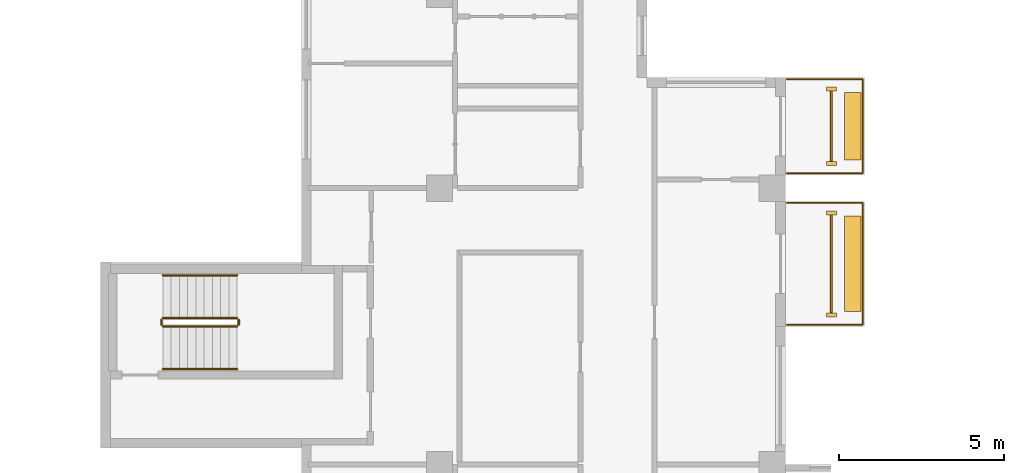
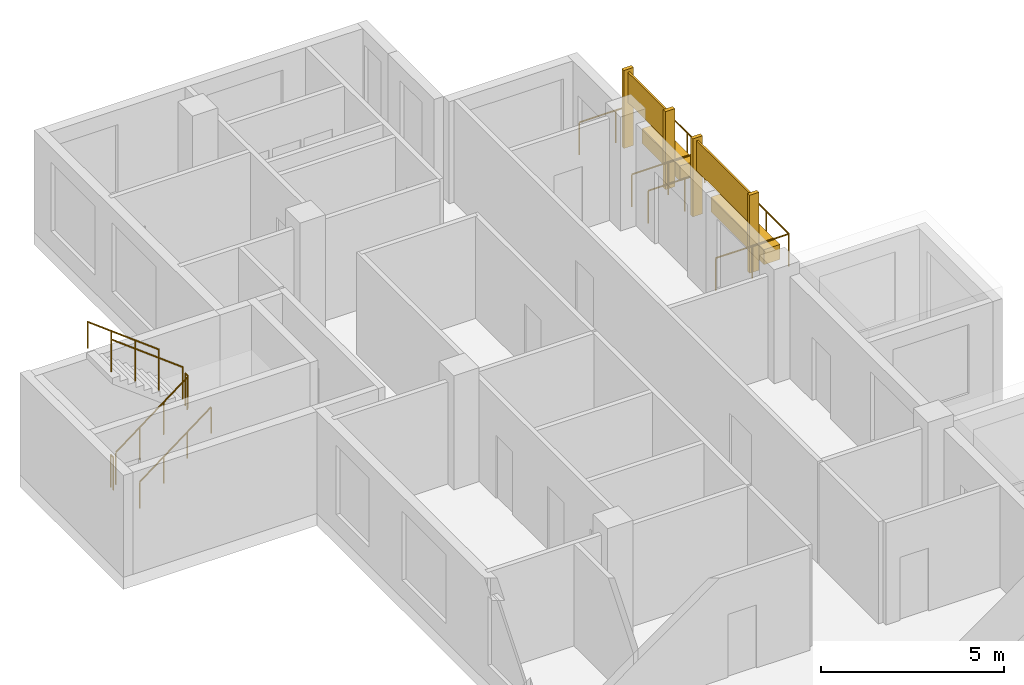
# One storey, part 11 of 11: 8 coverings, 8 railings.
"""IFC4 building model written with IfcOpenShell, lengths in metres."""

from ifc_helpers import new_model, si_unit, direction, frame, origin, origin_2d, place, context, subcontext, project, spatial, rectangle, circle, extrude, source, transform, mapped, material, type_object, element, save


model = new_model("IFC4")

# Units and contexts
model_context = context("Model", 3, precision=1e-05, world=origin(), true_north=direction((0.0, 1.0)))
body_context = subcontext(model_context, "Body", "Model", "MODEL_VIEW")
ifc_project = project(units=[si_unit("LENGTHUNIT", "METRE"), si_unit("AREAUNIT", "SQUARE_METRE"), si_unit("VOLUMEUNIT", "CUBIC_METRE"), si_unit("PLANEANGLEUNIT", "RADIAN"), si_unit("MASSUNIT", "GRAM", prefix="KILO")], contexts=[model_context])

# Site, building, storey
site_placement = place(None, origin())
site = spatial("IfcSite", under=ifc_project, at=site_placement, CompositionType="ELEMENT")
building_placement = place(site_placement, origin())
building = spatial("IfcBuilding", under=site, at=building_placement, Name="Aurelian Terraces", CompositionType="ELEMENT")
storey_placement = place(building_placement, frame((0.0, 0.0, 261.4)))
storey = spatial("IfcBuildingStorey", under=building, at=storey_placement, Name="L60", CompositionType="ELEMENT", Elevation=261.4)

# Coverings
ifc_material_1 = material(Name="Terracotta rainscreen cladding relief", Category="masonry")
covering_type_1 = type_object("IfcCoveringType", Name="FIN-TC", PredefinedType="CLADDING", material=ifc_material_1)
shared_shape_1 = source(origin(), body_context, "Body", "SweptSolid", [
    extrude(rectangle(XDim=0.3, YDim=0.12, at=origin_2d()), origin(), (0.0, 0.0, 1.0), 2.6),
])
for number, where, z_axis, x_axis, name in (
    (1, (22.4, 42.35, 0.0), (0.0, 0.0, 1.0), (1.0, 0.0, 0.0), "FIN L60 L60-F12-23.1"),
    (2, (22.4, 45.45, 0.0), (0.0, 0.0, 1.0), (1.0, 0.0, 0.0), "FIN L60 L60-F12-23.2"),
    (3, (22.4, 46.95, 0.0), (0.0, 0.0, 1.0), (1.0, 0.0, 0.0), "FIN L60 L60-F12-24.1"),
    (4, (22.4, 49.21, 0.0), (0.0, 0.0, 1.0), (1.0, 0.0, 0.0), "FIN L60 L60-F12-24.2"),
):
    element("IfcCovering", number, at=place(storey_placement, frame(where, z_axis=z_axis, x_axis=x_axis)), inside=storey, type_object=covering_type_1, Name=name, PredefinedType="CLADDING", context=body_context, shape_type="MappedRepresentation", body=[
        mapped(shared_shape_1, transform((0.0, 0.0, 0.0), scale=1.0)),
    ])

# Railing
ifc_material_2 = material(Name="Anodised aluminium", Category="aluminium")
railing_type_1 = type_object("IfcRailingType", Name="GUARD-1100", PredefinedType="GUARDRAIL", material=ifc_material_2)
shared_shape_2 = source(origin(), body_context, "Body", "SweptSolid", [
    extrude(circle(Radius=0.024, at=origin_2d()), frame((0.0, 0.0, 1.076), z_axis=(1.0, 0.0, 0.0), x_axis=(0.0, 1.0, 0.0)), (0.0, 0.0, 1.0), 2.3),
    extrude(circle(Radius=0.024, at=origin_2d()), frame((2.3, 0.0, 1.076), z_axis=(0.0, 1.0, 0.0), x_axis=(-1.0, 0.0, 0.0)), (0.0, 0.0, 1.0), 2.86),
    extrude(circle(Radius=0.024, at=origin_2d()), frame((2.3, 2.86, 1.076), z_axis=(-1.0, 0.0, 0.0), x_axis=(0.0, -1.0, 0.0)), (0.0, 0.0, 1.0), 2.3),
    extrude(circle(Radius=0.021, at=origin_2d()), origin(), (0.0, 0.0, 1.0), 1.052),
    extrude(circle(Radius=0.021, at=origin_2d()), frame((1.15, 0.0, 0.0)), (0.0, 0.0, 1.0), 1.052),
    extrude(circle(Radius=0.021, at=origin_2d()), frame((2.3, 0.0, 0.0)), (0.0, 0.0, 1.0), 1.052),
    extrude(circle(Radius=0.021, at=origin_2d()), frame((2.3, 0.9533, 0.0)), (0.0, 0.0, 1.0), 1.052),
    extrude(circle(Radius=0.021, at=origin_2d()), frame((2.3, 1.9067, 0.0)), (0.0, 0.0, 1.0), 1.052),
    extrude(circle(Radius=0.021, at=origin_2d()), frame((2.3, 2.86, 0.0)), (0.0, 0.0, 1.0), 1.052),
    extrude(circle(Radius=0.021, at=origin_2d()), frame((1.15, 2.86, 0.0)), (0.0, 0.0, 1.0), 1.052),
    extrude(circle(Radius=0.021, at=origin_2d()), frame((0.0, 2.86, 0.0)), (0.0, 0.0, 1.0), 1.052),
])
railing_1_placement = place(storey_placement, frame((21.05, 46.65, 0.0)))
element("IfcRailing", 5, at=railing_1_placement, inside=storey, type_object=railing_type_1, Name="Balcony guard L60 F12.24", PredefinedType="GUARDRAIL", context=body_context, shape_type="MappedRepresentation", body=[
    mapped(shared_shape_2, transform((0.0, 0.0, 0.0), scale=1.0)),
])

# Coverings
ifc_material_3 = material(Name="Terracotta planter with planting soil", Category="masonry")
covering_type_2 = type_object("IfcCoveringType", Name="PLANTER-TROUGH", PredefinedType="USERDEFINED", material=ifc_material_3)
shared_shape_3 = source(origin(), body_context, "Body", "SweptSolid", [
    extrude(rectangle(XDim=0.5, YDim=2.06, at=origin_2d()), origin(), (0.0, 0.0, 1.0), 0.5),
])
covering_1_placement = place(storey_placement, frame((23.05, 48.08, 0.0), z_axis=(0.0, 0.0, 1.0), x_axis=(1.0, 0.0, 0.0)))
element("IfcCovering", 6, at=covering_1_placement, inside=storey, type_object=covering_type_2, Name="PLANTER L60 L60-F12-24", ObjectType="PLANTER", PredefinedType="USERDEFINED", context=body_context, shape_type="MappedRepresentation", body=[
    mapped(shared_shape_3, transform((0.0, 0.0, 0.0), scale=1.0)),
])
ifc_material_4 = material(Name="Terracotta rainscreen cladding", Category="masonry")
covering_type_3 = type_object("IfcCoveringType", Name="SCREEN-TC", PredefinedType="CLADDING", material=ifc_material_4)
shared_shape_4 = source(origin(), body_context, "Body", "SweptSolid", [
    extrude(rectangle(XDim=0.06, YDim=2.14, at=origin_2d()), origin(), (0.0, 0.0, 1.0), 1.0),
])
covering_2_placement = place(storey_placement, frame((22.4, 48.08, 1.5), z_axis=(0.0, 0.0, 1.0), x_axis=(1.0, 0.0, 0.0)))
element("IfcCovering", 7, at=covering_2_placement, inside=storey, type_object=covering_type_3, Name="SCREEN L60 L60-F12-24", PredefinedType="CLADDING", context=body_context, shape_type="MappedRepresentation", body=[
    mapped(shared_shape_4, transform((0.0, 0.0, 0.0), scale=1.0)),
])

# Railing
shared_shape_5 = source(origin(), body_context, "Body", "SweptSolid", [
    extrude(circle(Radius=0.024, at=origin_2d()), frame((0.0, 0.0, 1.076), z_axis=(1.0, 0.0, 0.0), x_axis=(0.0, 1.0, 0.0)), (0.0, 0.0, 1.0), 2.3),
    extrude(circle(Radius=0.024, at=origin_2d()), frame((2.3, 0.0, 1.076), z_axis=(0.0, 1.0, 0.0), x_axis=(-1.0, 0.0, 0.0)), (0.0, 0.0, 1.0), 3.7),
    extrude(circle(Radius=0.024, at=origin_2d()), frame((2.3, 3.7, 1.076), z_axis=(-1.0, 0.0, 0.0), x_axis=(0.0, -1.0, 0.0)), (0.0, 0.0, 1.0), 2.3),
    extrude(circle(Radius=0.021, at=origin_2d()), origin(), (0.0, 0.0, 1.0), 1.052),
    extrude(circle(Radius=0.021, at=origin_2d()), frame((1.15, 0.0, 0.0)), (0.0, 0.0, 1.0), 1.052),
    extrude(circle(Radius=0.021, at=origin_2d()), frame((2.3, 0.0, 0.0)), (0.0, 0.0, 1.0), 1.052),
    extrude(circle(Radius=0.021, at=origin_2d()), frame((2.3, 1.2333, 0.0)), (0.0, 0.0, 1.0), 1.052),
    extrude(circle(Radius=0.021, at=origin_2d()), frame((2.3, 2.4667, 0.0)), (0.0, 0.0, 1.0), 1.052),
    extrude(circle(Radius=0.021, at=origin_2d()), frame((2.3, 3.7, 0.0)), (0.0, 0.0, 1.0), 1.052),
    extrude(circle(Radius=0.021, at=origin_2d()), frame((1.15, 3.7, 0.0)), (0.0, 0.0, 1.0), 1.052),
    extrude(circle(Radius=0.021, at=origin_2d()), frame((0.0, 3.7, 0.0)), (0.0, 0.0, 1.0), 1.052),
])
railing_2_placement = place(storey_placement, frame((21.05, 42.05, 0.0)))
element("IfcRailing", 8, at=railing_2_placement, inside=storey, type_object=railing_type_1, Name="Balcony guard L60 F12.23", PredefinedType="GUARDRAIL", context=body_context, shape_type="MappedRepresentation", body=[
    mapped(shared_shape_5, transform((0.0, 0.0, 0.0), scale=1.0)),
])

# Coverings
shared_shape_6 = source(origin(), body_context, "Body", "SweptSolid", [
    extrude(rectangle(XDim=0.5, YDim=2.9, at=origin_2d()), origin(), (0.0, 0.0, 1.0), 0.5),
])
covering_3_placement = place(storey_placement, frame((23.05, 43.9, 0.0), z_axis=(0.0, 0.0, 1.0), x_axis=(1.0, 0.0, 0.0)))
element("IfcCovering", 9, at=covering_3_placement, inside=storey, type_object=covering_type_2, Name="PLANTER L60 L60-F12-23", ObjectType="PLANTER", PredefinedType="USERDEFINED", context=body_context, shape_type="MappedRepresentation", body=[
    mapped(shared_shape_6, transform((0.0, 0.0, 0.0), scale=1.0)),
])
shared_shape_7 = source(origin(), body_context, "Body", "SweptSolid", [
    extrude(rectangle(XDim=0.06, YDim=2.98, at=origin_2d()), origin(), (0.0, 0.0, 1.0), 1.0),
])
covering_4_placement = place(storey_placement, frame((22.4, 43.9, 1.5), z_axis=(0.0, 0.0, 1.0), x_axis=(1.0, 0.0, 0.0)))
element("IfcCovering", 10, at=covering_4_placement, inside=storey, type_object=covering_type_3, Name="SCREEN L60 L60-F12-23", PredefinedType="CLADDING", context=body_context, shape_type="MappedRepresentation", body=[
    mapped(shared_shape_7, transform((0.0, 0.0, 0.0), scale=1.0)),
])

# Railings
ifc_material_5 = material(Name="Stainless steel", Category="steel")
railing_type_2 = type_object("IfcRailingType", Name="Stair guard 1100", PredefinedType="GUARDRAIL", material=ifc_material_5)
shared_shape_8 = source(origin(), body_context, "Body", "SweptSolid", [
    extrude(circle(Radius=0.024, at=origin_2d()), frame((0.0, 0.0, 1.076), z_axis=(0.0, 1.0, 0.0), x_axis=(-1.0, 0.0, 0.0)), (0.0, 0.0, 1.0), 0.15),
    extrude(circle(Radius=0.021, at=origin_2d()), origin(), (0.0, 0.0, 1.0), 1.052),
    extrude(circle(Radius=0.021, at=origin_2d()), frame((0.0, 0.15, 0.0)), (0.0, 0.0, 1.0), 1.052),
])
for number, where, name in (
    (11, (4.4, 42.05, 1.9), "L60 S3 stair guard 2"),
    (12, (2.05, 42.05, 0.0), "L60 S3 stair guard 4"),
):
    element("IfcRailing", number, at=place(storey_placement, frame(where)), inside=storey, type_object=railing_type_2, Name=name, PredefinedType="GUARDRAIL", context=body_context, shape_type="MappedRepresentation", body=[
        mapped(shared_shape_8, transform((0.0, 0.0, 0.0), scale=1.0)),
    ])
shared_shape_9 = source(origin(), body_context, "Body", "SweptSolid", [
    extrude(circle(Radius=0.024, at=origin_2d()), frame((0.0, 0.0, 1.076), z_axis=(0.796162194123, 0.0, 0.605083267534), x_axis=(0.0, 1.0, 0.0)), (0.0, 0.0, 1.0), 2.8261),
    extrude(circle(Radius=0.021, at=origin_2d()), origin(), (0.0, 0.0, 1.0), 1.052),
    extrude(circle(Radius=0.021, at=origin_2d()), frame((0.75, 0.0, 0.57)), (0.0, 0.0, 1.0), 1.052),
    extrude(circle(Radius=0.021, at=origin_2d()), frame((1.5, 0.0, 1.14)), (0.0, 0.0, 1.0), 1.052),
    extrude(circle(Radius=0.021, at=origin_2d()), frame((2.25, 0.0, 1.71)), (0.0, 0.0, 1.0), 1.052),
])
railing_3_placement = place(storey_placement, frame((2.1, 42.0, 0.19)))
element("IfcRailing", 13, at=railing_3_placement, inside=storey, type_object=railing_type_2, Name="L60 S3 stair guard 1", PredefinedType="GUARDRAIL", context=body_context, shape_type="MappedRepresentation", body=[
    mapped(shared_shape_9, transform((0.0, 0.0, 0.0), scale=1.0)),
])
shared_shape_10 = source(origin(), body_context, "Body", "SweptSolid", [
    extrude(circle(Radius=0.024, at=origin_2d()), frame((0.0, 0.0, 1.076), z_axis=(-0.796162194123, 0.0, 0.605083267534), x_axis=(0.0, -1.0, 0.0)), (0.0, 0.0, 1.0), 2.8261),
    extrude(circle(Radius=0.021, at=origin_2d()), origin(), (0.0, 0.0, 1.0), 1.052),
    extrude(circle(Radius=0.021, at=origin_2d()), frame((-0.75, 0.0, 0.57)), (0.0, 0.0, 1.0), 1.052),
    extrude(circle(Radius=0.021, at=origin_2d()), frame((-1.5, 0.0, 1.14)), (0.0, 0.0, 1.0), 1.052),
    extrude(circle(Radius=0.021, at=origin_2d()), frame((-2.25, 0.0, 1.71)), (0.0, 0.0, 1.0), 1.052),
])
railing_4_placement = place(storey_placement, frame((4.35, 42.25, 2.09)))
element("IfcRailing", 14, at=railing_4_placement, inside=storey, type_object=railing_type_2, Name="L60 S3 stair guard 3", PredefinedType="GUARDRAIL", context=body_context, shape_type="MappedRepresentation", body=[
    mapped(shared_shape_10, transform((0.0, 0.0, 0.0), scale=1.0)),
])
railing_type_3 = type_object("IfcRailingType", Name="Stair handrail", PredefinedType="HANDRAIL", material=ifc_material_5)
shared_shape_11 = source(origin(), body_context, "Body", "SweptSolid", [
    extrude(circle(Radius=0.024, at=origin_2d()), frame((0.0, 0.0, 0.876), z_axis=(0.796162194123, 0.0, 0.605083267534), x_axis=(0.0, 1.0, 0.0)), (0.0, 0.0, 1.0), 2.8261),
    extrude(circle(Radius=0.021, at=origin_2d()), origin(), (0.0, 0.0, 1.0), 0.852),
    extrude(circle(Radius=0.021, at=origin_2d()), frame((0.75, 0.0, 0.57)), (0.0, 0.0, 1.0), 0.852),
    extrude(circle(Radius=0.021, at=origin_2d()), frame((1.5, 0.0, 1.14)), (0.0, 0.0, 1.0), 0.852),
    extrude(circle(Radius=0.021, at=origin_2d()), frame((2.25, 0.0, 1.71)), (0.0, 0.0, 1.0), 0.852),
])
railing_5_placement = place(storey_placement, frame((2.1, 40.7, 0.19)))
element("IfcRailing", 15, at=railing_5_placement, inside=storey, type_object=railing_type_3, Name="L60 S3 stair handrail 1", PredefinedType="HANDRAIL", context=body_context, shape_type="MappedRepresentation", body=[
    mapped(shared_shape_11, transform((0.0, 0.0, 0.0), scale=1.0)),
])
shared_shape_12 = source(origin(), body_context, "Body", "SweptSolid", [
    extrude(circle(Radius=0.024, at=origin_2d()), frame((0.0, 0.0, 0.876), z_axis=(-0.796162194123, 0.0, 0.605083267534), x_axis=(0.0, -1.0, 0.0)), (0.0, 0.0, 1.0), 2.8261),
    extrude(circle(Radius=0.021, at=origin_2d()), origin(), (0.0, 0.0, 1.0), 0.852),
    extrude(circle(Radius=0.021, at=origin_2d()), frame((-0.75, 0.0, 0.57)), (0.0, 0.0, 1.0), 0.852),
    extrude(circle(Radius=0.021, at=origin_2d()), frame((-1.5, 0.0, 1.14)), (0.0, 0.0, 1.0), 0.852),
    extrude(circle(Radius=0.021, at=origin_2d()), frame((-2.25, 0.0, 1.71)), (0.0, 0.0, 1.0), 0.852),
])
railing_6_placement = place(storey_placement, frame((4.35, 43.55, 2.09)))
element("IfcRailing", 16, at=railing_6_placement, inside=storey, type_object=railing_type_3, Name="L60 S3 stair handrail 2", PredefinedType="HANDRAIL", context=body_context, shape_type="MappedRepresentation", body=[
    mapped(shared_shape_12, transform((0.0, 0.0, 0.0), scale=1.0)),
])

save(model, "model.ifc")
